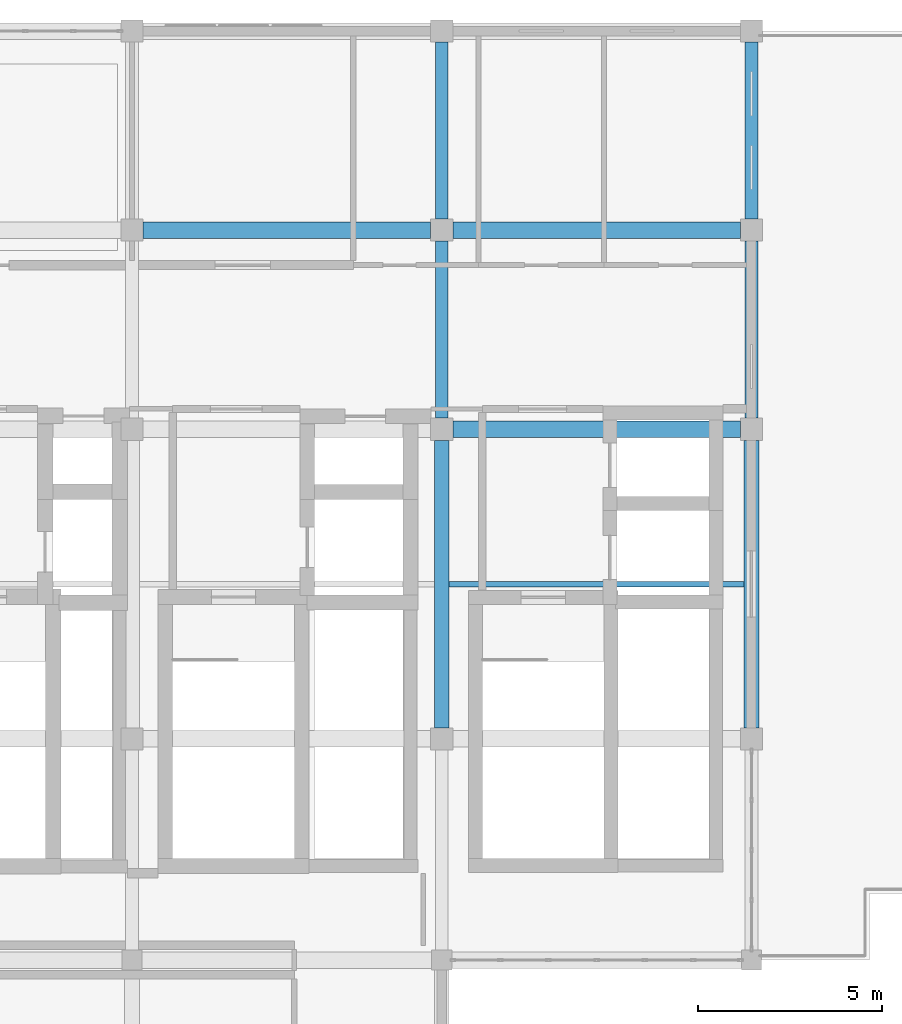
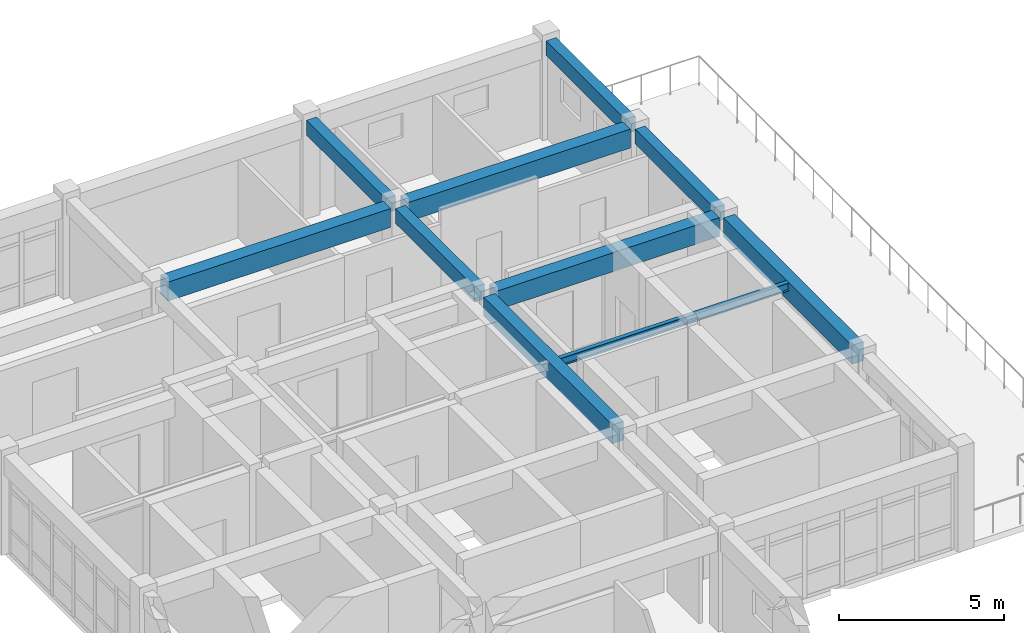
# One storey, part 10 of 17: 10 beams.
"""IFC4 building model written with IfcOpenShell, lengths in metres."""

from ifc_helpers import new_model, si_unit, direction, frame, origin, origin_2d, place, context, subcontext, project, spatial, rectangle, i_section, extrude, material, material_profile, profile_set, type_object, element, save


model = new_model("IFC4")

# Units and contexts
model_context = context("Model", 3, precision=1e-05, world=origin(), true_north=direction((0.0, 1.0)))
body_context = subcontext(model_context, "Body", "Model", "MODEL_VIEW")
ifc_project = project(units=[si_unit("LENGTHUNIT", "METRE"), si_unit("AREAUNIT", "SQUARE_METRE"), si_unit("VOLUMEUNIT", "CUBIC_METRE"), si_unit("PLANEANGLEUNIT", "RADIAN"), si_unit("MASSUNIT", "GRAM", prefix="KILO")], contexts=[model_context])

# Site, building, storey
site_placement = place(None, origin())
site = spatial("IfcSite", under=ifc_project, at=site_placement, CompositionType="ELEMENT")
building_placement = place(site_placement, origin())
building = spatial("IfcBuilding", under=site, at=building_placement, Name="Krzemoval Escarpment Law Courts", CompositionType="ELEMENT")
storey_placement = place(building_placement, frame((0.0, 0.0, 42.0)))
storey = spatial("IfcBuildingStorey", under=building, at=storey_placement, Name="L09", CompositionType="ELEMENT", Elevation=42.0)

# Beams
ifc_material_1 = material(Name="Concrete C40/50", Category="concrete")
ifc_material_profile_1 = material_profile(ifc_material_1, rectangle(XDim=0.35009765625, YDim=0.550048828125, at=origin_2d()), Name="RCB 350x550")
ifc_profile_set_1 = profile_set([ifc_material_profile_1], Name="Concrete C40/50")
beam_type_1 = type_object("IfcBeamType", Name="BM-RC-350x550", PredefinedType="BEAM", material=ifc_profile_set_1)
for number, where, z_axis, x_axis, name in (
    (1, (142.800048828125, 108.300048828125, 3.385009765625), (0.0, 1.0, 0.0), (-1.0, 0.0, 0.0), "Beam FG-L09-2814"),
    (2, (142.800048828125, 113.699951171875, 3.385009765625), (0.0, 1.0, 0.0), (-1.0, 0.0, 0.0), "Beam FG-L09-2815"),
    (3, (151.199951171875, 108.300048828125, 3.385009765625), (0.0, 1.0, 0.0), (-1.0, 0.0, 0.0), "Beam FG-L09-2818"),
    (4, (151.199951171875, 113.699951171875, 3.385009765625), (0.0, 1.0, 0.0), (-1.0, 0.0, 0.0), "Beam FG-L09-2819"),
):
    element("IfcBeam", number, at=place(storey_placement, frame(where, z_axis=z_axis, x_axis=x_axis)), inside=storey, type_object=beam_type_1, Name=name, PredefinedType="BEAM", context=body_context, shape_type="SweptSolid", body=[
        extrude(rectangle(XDim=0.35009765625, YDim=0.550048828125, at=origin_2d()), origin(), (0.0, 0.0, 1.0), 4.800048828125),
    ])
ifc_material_2 = material(Name="Concrete C40/50", Category="concrete")
ifc_material_profile_2 = material_profile(ifc_material_2, rectangle(XDim=0.39990234375, YDim=0.699951171875, at=origin_2d()), Name="RCB 400x700")
ifc_profile_set_2 = profile_set([ifc_material_profile_2], Name="Concrete C40/50")
beam_type_2 = type_object("IfcBeamType", Name="BM-RC-400x700", PredefinedType="BEAM", material=ifc_profile_set_2)
for number, where, z_axis, x_axis, name in (
    (5, (142.800048828125, 99.89990234375, 3.31005859375), (0.0, 1.0, 0.0), (-1.0, 0.0, 0.0), "Beam FG-L09-2813"),
    (6, (151.199951171875, 99.89990234375, 3.31005859375), (0.0, 1.0, 0.0), (-1.0, 0.0, 0.0), "Beam FG-L09-2817"),
):
    element("IfcBeam", number, at=place(storey_placement, frame(where, z_axis=z_axis, x_axis=x_axis)), inside=storey, type_object=beam_type_2, Name=name, PredefinedType="BEAM", context=body_context, shape_type="SweptSolid", body=[
        extrude(rectangle(XDim=0.39990234375, YDim=0.699951171875, at=origin_2d()), origin(), (0.0, 0.0, 1.0), 7.800048828125),
    ])
ifc_material_3 = material(Name="Concrete C40/50", Category="concrete")
ifc_material_profile_3 = material_profile(ifc_material_3, rectangle(XDim=0.449951171875, YDim=0.699951171875, at=origin_2d()), Name="RCB 450x700")
ifc_profile_set_3 = profile_set([ifc_material_profile_3], Name="Concrete C40/50")
beam_type_3 = type_object("IfcBeamType", Name="BM-RC-450x700", PredefinedType="BEAM", material=ifc_profile_set_3)
beam_1_placement = place(storey_placement, frame((143.10009765625, 108.0, 3.31005859375), z_axis=(1.0, 0.0, 0.0), x_axis=(0.0, 1.0, 0.0)))
element("IfcBeam", 7, at=beam_1_placement, inside=storey, type_object=beam_type_3, Name="Beam FG-L09-2794", PredefinedType="BEAM", context=body_context, shape_type="SweptSolid", body=[
    extrude(rectangle(XDim=0.449951171875, YDim=0.699951171875, at=origin_2d()), origin(), (0.0, 0.0, 1.0), 7.7998046875),
])
beam_2_placement = place(storey_placement, frame((134.699951171875, 113.39990234375, 3.31005859375), z_axis=(1.0, 0.0, 0.0), x_axis=(0.0, 1.0, 0.0)))
element("IfcBeam", 8, at=beam_2_placement, inside=storey, type_object=beam_type_3, Name="Beam FG-L09-2796", PredefinedType="BEAM", context=body_context, shape_type="SweptSolid", body=[
    extrude(rectangle(XDim=0.449951171875, YDim=0.699951171875, at=origin_2d()), origin(), (0.0, 0.0, 1.0), 7.800048828125),
])
beam_3_placement = place(storey_placement, frame((143.10009765625, 113.39990234375, 3.31005859375), z_axis=(1.0, 0.0, 0.0), x_axis=(0.0, 1.0, 0.0)))
element("IfcBeam", 9, at=beam_3_placement, inside=storey, type_object=beam_type_3, Name="Beam FG-L09-2797", PredefinedType="BEAM", context=body_context, shape_type="SweptSolid", body=[
    extrude(rectangle(XDim=0.449951171875, YDim=0.699951171875, at=origin_2d()), origin(), (0.0, 0.0, 1.0), 7.7998046875),
])
ifc_material_4 = material(Name="Steel S355", Category="steel")
ifc_material_profile_4 = material_profile(ifc_material_4, i_section(OverallWidth=0.14990234375, OverallDepth=0.300048828125, WebThickness=0.007080078125, FlangeThickness=0.0107421875, at=origin_2d()), Name="IPE 300")
ifc_profile_set_4 = profile_set([ifc_material_profile_4], Name="Steel S355")
beam_type_4 = type_object("IfcBeamType", Name="JST-S355-IPE300", PredefinedType="JOIST", material=ifc_profile_set_4)
beam_4_placement = place(storey_placement, frame((143.0, 103.800048828125, 3.510009765625), z_axis=(1.0, 0.0, 0.0), x_axis=(0.0, 1.0, 0.0)))
element("IfcBeam", 10, at=beam_4_placement, inside=storey, type_object=beam_type_4, Name="Secondary Joist FJ-L09-2824", PredefinedType="JOIST", context=body_context, shape_type="SweptSolid", body=[
    extrude(i_section(OverallWidth=0.14990234375, OverallDepth=0.300048828125, WebThickness=0.007080078125, FlangeThickness=0.0107421875, at=origin_2d()), origin(), (0.0, 0.0, 1.0), 8.0),
])

save(model, "model.ifc")
